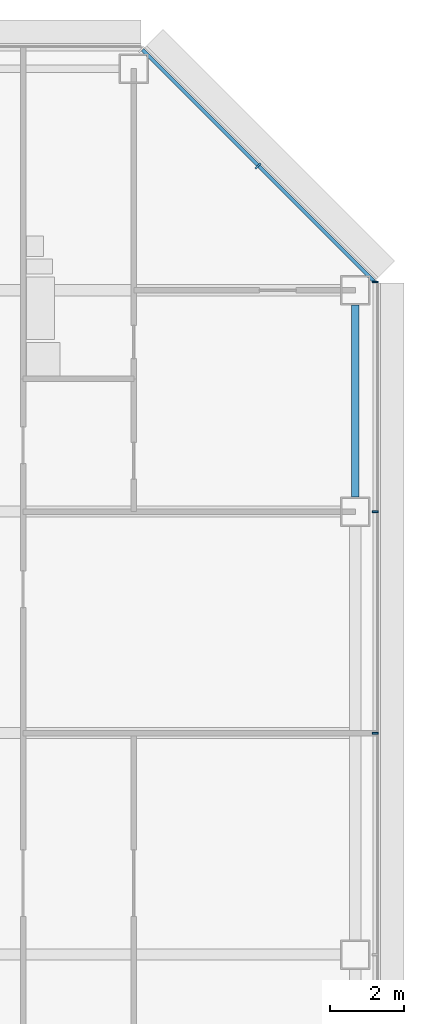
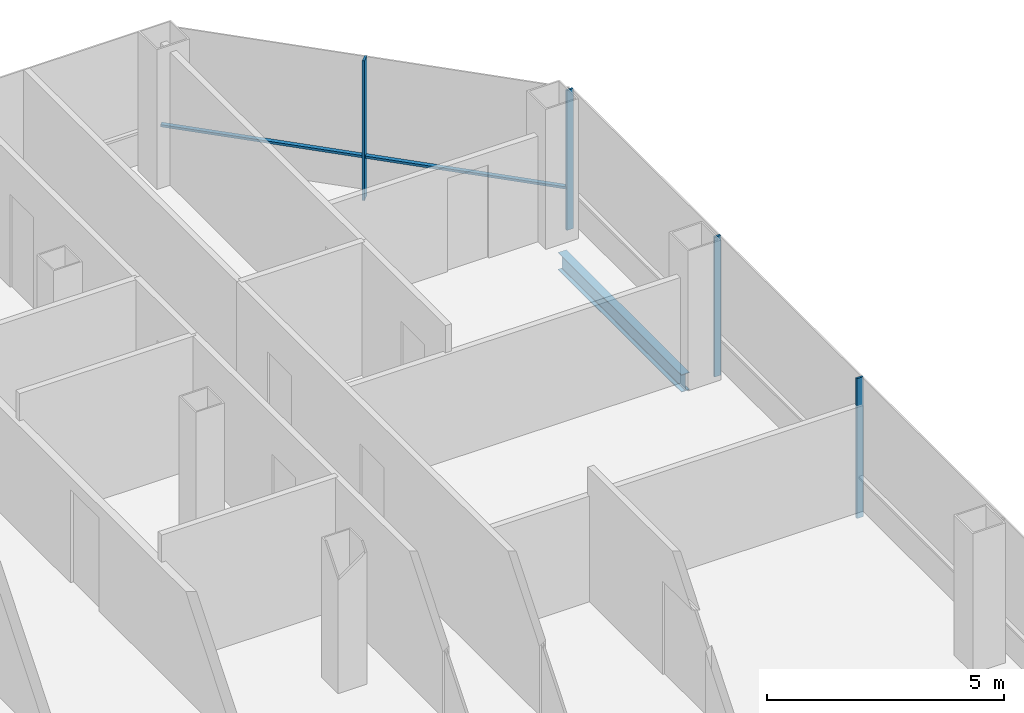
# One storey, part 16 of 26: 5 members, 1 beam, 2 elements without a shape of their own.
"""IFC4 building model written with IfcOpenShell, lengths in metres."""

from ifc_helpers import new_model, si_unit, direction, frame, origin, origin_2d, place, context, subcontext, project, spatial, rectangle, i_section, extrude, material, material_profile, profile_set, type_object, element, aggregate, save


model = new_model("IFC4")

# Units and contexts
model_context = context("Model", 3, precision=1e-05, world=origin(), true_north=direction((0.0, 1.0)))
body_context = subcontext(model_context, "Body", "Model", "MODEL_VIEW")
ifc_project = project(units=[si_unit("LENGTHUNIT", "METRE"), si_unit("AREAUNIT", "SQUARE_METRE"), si_unit("VOLUMEUNIT", "CUBIC_METRE"), si_unit("PLANEANGLEUNIT", "RADIAN"), si_unit("MASSUNIT", "GRAM", prefix="KILO")], contexts=[model_context])

# Site, building, storey
site_placement = place(None, origin())
site = spatial("IfcSite", under=ifc_project, at=site_placement, CompositionType="ELEMENT")
building_placement = place(site_placement, origin())
building = spatial("IfcBuilding", under=site, at=building_placement, Name="Sorahane Residences", CompositionType="ELEMENT")
storey_placement = place(building_placement, frame((0.0, 0.0, 103.39990234375)))
storey = spatial("IfcBuildingStorey", under=building, at=storey_placement, Name="L22", CompositionType="ELEMENT", Elevation=103.39990234375)

# Curtain wall, members
ifc_material_1 = material(Name="Dark low-e glass and black anodised aluminium", Category="aluminium")
curtain_wall_type_1 = type_object("IfcCurtainWallType", Name="Curtain wall CW-1 Typical unitised wall", PredefinedType="NOTDEFINED", material=ifc_material_1)
curtain_wall_1_placement = place(storey_placement, origin())
curtain_wall_1 = element("IfcCurtainWall", 1, at=curtain_wall_1_placement, inside=storey, type_object=curtain_wall_type_1, Name="CW-1 curtain wall L22 E2", PredefinedType="NOTDEFINED")
ifc_material_2 = material(Name="Black anodised aluminium", Category="aluminium")
ifc_material_profile_1 = material_profile(ifc_material_2, rectangle(XDim=0.159912109375, YDim=0.050048828125, at=origin_2d()), Name="Curtain wall mullion CW-1 black anodised aluminium 50x160")
ifc_profile_set_1 = profile_set([ifc_material_profile_1], Name="Black anodised aluminium")
member_type_1 = type_object("IfcMemberType", Name="Curtain wall mullion CW-1 black anodised aluminium 50x160", PredefinedType="MULLION", material=ifc_profile_set_1)
member_1_placement = place(storey_placement, frame((60.5400390625, 30.0, -0.179931640625), z_axis=(0.0, 0.0, 1.0), x_axis=(1.0, 0.0, 0.0)))
member_1 = element("IfcMember", 2, at=member_1_placement, type_object=member_type_1, Name="CW-1 mullion L22 E2.5", PredefinedType="MULLION", context=body_context, shape_type="SweptSolid", body=[
    extrude(rectangle(XDim=0.159912109375, YDim=0.050048828125, at=origin_2d()), origin(), (0.0, 0.0, 1.0), 3.60009765625),
])
member_2_placement = place(storey_placement, frame((60.5400390625, 36.0, -0.179931640625), z_axis=(0.0, 0.0, 1.0), x_axis=(1.0, 0.0, 0.0)))
member_2 = element("IfcMember", 3, at=member_2_placement, type_object=member_type_1, Name="CW-1 mullion L22 E2.6", PredefinedType="MULLION", context=body_context, shape_type="SweptSolid", body=[
    extrude(rectangle(XDim=0.159912109375, YDim=0.050048828125, at=origin_2d()), origin(), (0.0, 0.0, 1.0), 3.60009765625),
])
member_3_placement = place(storey_placement, frame((60.5400390625, 42.2236328125, -0.179931640625), z_axis=(0.0, 0.0, 1.0), x_axis=(1.0, 0.0, 0.0)))
member_3 = element("IfcMember", 4, at=member_3_placement, type_object=member_type_1, Name="CW-1 mullion L22 E2.7", PredefinedType="MULLION", context=body_context, shape_type="SweptSolid", body=[
    extrude(rectangle(XDim=0.159912109375, YDim=0.050048828125, at=origin_2d()), origin(), (0.0, 0.0, 1.0), 3.60009765625),
])
aggregate(curtain_wall_1, [member_1, member_2, member_3])

ifc_material_3 = material(Name="Dark low-e glass and black anodised aluminium", Category="aluminium")
curtain_wall_type_2 = type_object("IfcCurtainWallType", Name="Curtain wall CW-2 Chamfer unitised wall", PredefinedType="NOTDEFINED", material=ifc_material_3)
curtain_wall_2_placement = place(storey_placement, origin())
curtain_wall_2 = element("IfcCurtainWall", 5, at=curtain_wall_2_placement, inside=storey, type_object=curtain_wall_type_2, Name="CW-2 curtain wall L22 NE1", PredefinedType="NOTDEFINED")
ifc_material_4 = material(Name="Black anodised aluminium", Category="aluminium")
ifc_material_profile_2 = material_profile(ifc_material_4, rectangle(XDim=0.199951171875, YDim=0.050048828125, at=origin_2d()), Name="Curtain wall mullion CW-2 black anodised aluminium 50x200")
ifc_profile_set_2 = profile_set([ifc_material_profile_2], Name="Black anodised aluminium")
member_type_2 = type_object("IfcMemberType", Name="Curtain wall mullion CW-2 black anodised aluminium 50x200", PredefinedType="MULLION", material=ifc_profile_set_2)
member_4_placement = place(storey_placement, frame((57.36767578125, 45.36767578125, -0.179931640625), z_axis=(0.0, 0.0, 1.0), x_axis=(0.707106781187, 0.707106781187, 0.0)))
member_4 = element("IfcMember", 6, at=member_4_placement, type_object=member_type_2, Name="CW-2 mullion L22 NE1.2", PredefinedType="MULLION", context=body_context, shape_type="SweptSolid", body=[
    extrude(rectangle(XDim=0.199951171875, YDim=0.050048828125, at=origin_2d()), origin(), (0.0, 0.0, 1.0), 3.60009765625),
])
ifc_material_5 = material(Name="Black anodised aluminium", Category="aluminium")
ifc_material_profile_3 = material_profile(ifc_material_5, rectangle(XDim=0.10009765625, YDim=0.06005859375, at=origin_2d()), Name="Curtain wall transom CW-2 black anodised aluminium 60x100")
ifc_profile_set_3 = profile_set([ifc_material_profile_3], Name="Black anodised aluminium")
member_type_3 = type_object("IfcMemberType", Name="Curtain wall transom CW-2 black anodised aluminium 60x100", PredefinedType="USERDEFINED", material=ifc_profile_set_3)
member_5_placement = place(storey_placement, frame((60.51513671875, 42.234375, 0.900146484375), z_axis=(-0.707106781187, 0.707106781187, 0.0), x_axis=(-0.707106781187, -0.707106781187, 0.0)))
member_5 = element("IfcMember", 7, at=member_5_placement, type_object=member_type_3, Name="CW-2 transom L22 NE1", ObjectType="TRANSOM", PredefinedType="USERDEFINED", context=body_context, shape_type="SweptSolid", body=[
    extrude(rectangle(XDim=0.10009765625, YDim=0.06005859375, at=origin_2d()), origin(), (0.0, 0.0, 1.0), 8.88232421875),
])
aggregate(curtain_wall_2, [member_4, member_5])

# Beam
ifc_material_6 = material(Name="Steel Q355B", Category="steel")
ifc_material_profile_4 = material_profile(ifc_material_6, i_section(OverallWidth=0.199951171875, OverallDepth=0.449951171875, WebThickness=0.009033203125, FlangeThickness=0.013916015625, FilletRadius=0.02001953125, at=origin_2d()), Name="HN 450x200x9x14")
ifc_profile_set_4 = profile_set([ifc_material_profile_4], Name="Steel Q355B")
beam_type = type_object("IfcBeamType", Name="Steel floor beam HN 450x200x9x14 Q355B", PredefinedType="BEAM", material=ifc_profile_set_4)
beam_placement = place(storey_placement, frame((60.0, 36.39990234375, -0.40478515625), z_axis=(0.0, 1.0, 0.0), x_axis=(-1.0, 0.0, 0.0)))
element("IfcBeam", 8, at=beam_placement, inside=storey, type_object=beam_type, Name="Beam L22 064", PredefinedType="BEAM", context=body_context, shape_type="SweptSolid", body=[
    extrude(i_section(OverallWidth=0.199951171875, OverallDepth=0.449951171875, WebThickness=0.009033203125, FlangeThickness=0.013916015625, FilletRadius=0.02001953125, at=origin_2d()), origin(), (0.0, 0.0, 1.0), 5.2001953125),
])

save(model, "model.ifc")
